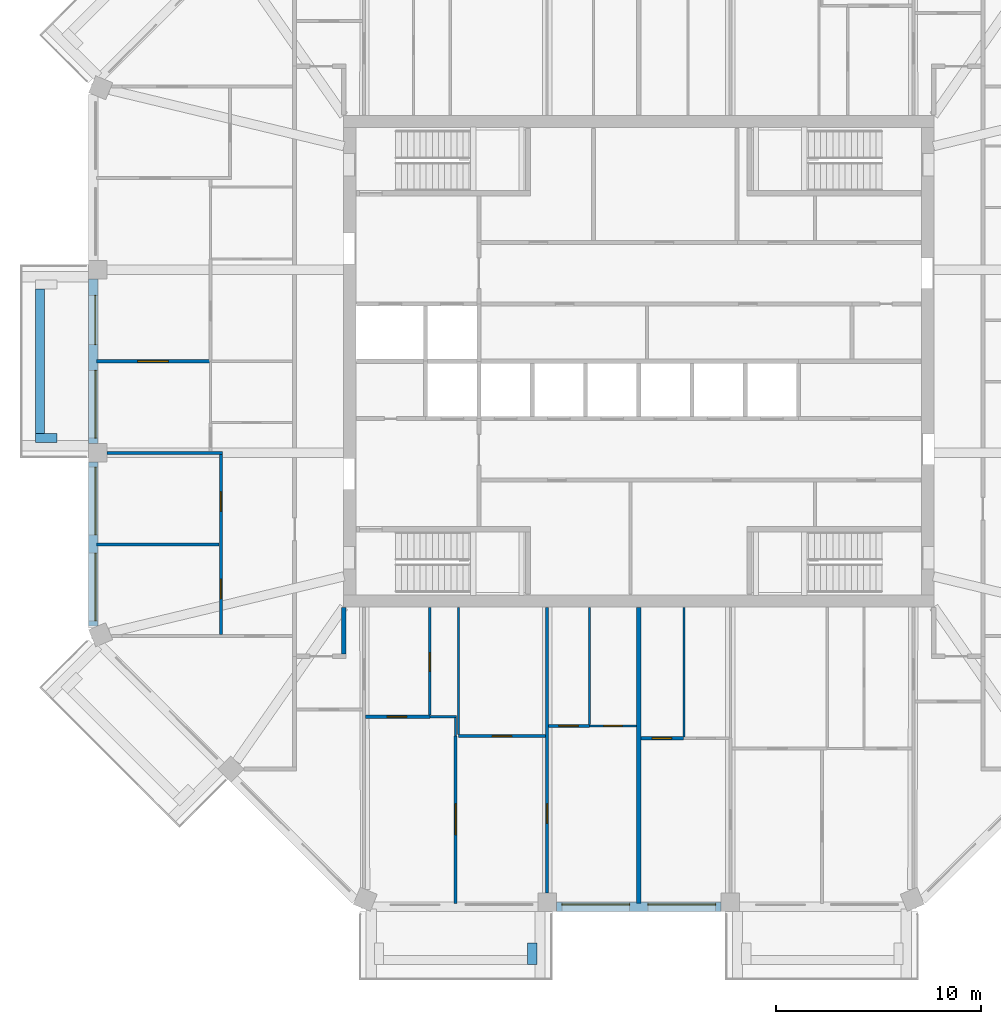
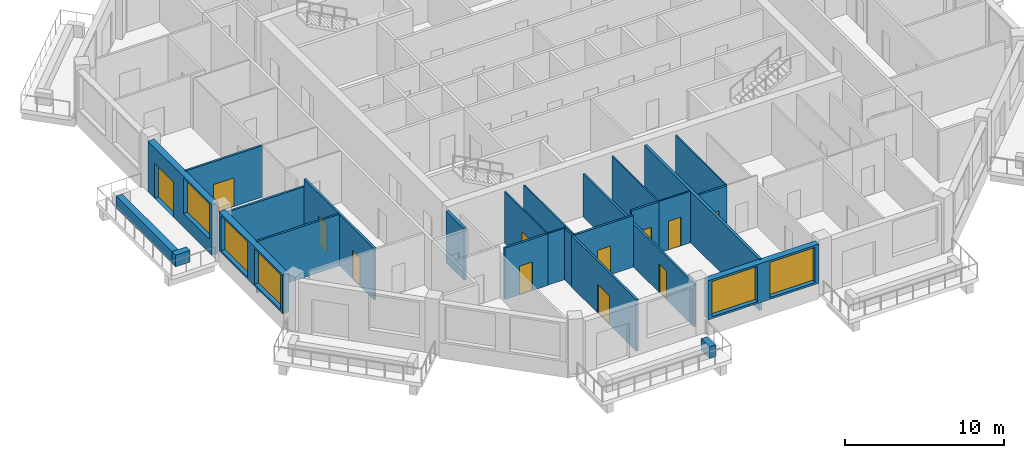
# One storey, part 3 of 13: 25 walls, 12 doors, 5 windows, 17 openings.
"""IFC4 building model written with IfcOpenShell, lengths in metres."""

from ifc_helpers import new_model, si_unit, direction, frame, frame_2d, origin, place, context, subcontext, project, spatial, rectangle, extrude, material, layer, layer_set, type_object, element, fill, save


model = new_model("IFC4")

# Units and contexts
model_context = context("Model", 3, precision=1e-05, world=origin(), true_north=direction((0.0, 1.0)))
body_context = subcontext(model_context, "Body", "Model", "MODEL_VIEW")
ifc_project = project(units=[si_unit("LENGTHUNIT", "METRE"), si_unit("AREAUNIT", "SQUARE_METRE"), si_unit("VOLUMEUNIT", "CUBIC_METRE"), si_unit("PLANEANGLEUNIT", "RADIAN"), si_unit("MASSUNIT", "GRAM", prefix="KILO")], contexts=[model_context])

# Site, building, storey
site_placement = place(None, origin())
site = spatial("IfcSite", under=ifc_project, at=site_placement, CompositionType="ELEMENT")
building_placement = place(site_placement, origin())
building = spatial("IfcBuilding", under=site, at=building_placement, Name="Msitu Wima Residences", CompositionType="ELEMENT")
storey_placement = place(building_placement, frame((0.0, 0.0, 281.10009765625)))
storey = spatial("IfcBuildingStorey", under=building, at=storey_placement, Name="L65", CompositionType="ELEMENT", Elevation=281.10009765625)

# Walls
ifc_material_1 = material(Name="Facing brick")
ifc_layer_1 = layer(ifc_material_1, 0.06494140625, Name="Facing brick")
ifc_material_2 = material(Name="Concrete C40/50", Category="concrete")
ifc_layer_2 = layer(ifc_material_2, 0.156005859375, Name="Concrete C40/50")
ifc_material_3 = material(Name="Waterproofing membrane")
ifc_layer_3 = layer(ifc_material_3, 0.00390625, Name="Waterproofing membrane")
ifc_material_4 = material(Name="Planting soil and planting")
ifc_layer_4 = layer(ifc_material_4, 0.22509765625, Name="Planting soil and planting")
ifc_layer_set_1 = layer_set([ifc_layer_1, ifc_layer_2, ifc_layer_3, ifc_layer_4], Name="Concrete C40/50")
wall_type_1 = type_object("IfcWallType", Name="Balcony planter PLANTER PL450", PredefinedType="USERDEFINED", material=ifc_layer_set_1)
wall_1_placement = place(storey_placement, frame((-29.22509765625, 3.5185546875, 0.0), z_axis=(0.0, 0.0, 1.0), x_axis=(0.0, -1.0, 0.0)))
element("IfcWall", 1, at=wall_1_placement, inside=storey, type_object=wall_type_1, Name="Balcony planter W1 L65", ObjectType="PLANTER", PredefinedType="USERDEFINED", context=body_context, shape_type="SweptSolid", body=[
    extrude(rectangle(XDim=7.037109375, YDim=0.449951171875, at=frame_2d((3.5185546875, 0.0))), origin(), (0.0, 0.0, 1.0), 0.89990234375),
])
for number, where, z_axis, x_axis, name in (
    (2, (-28.39990234375, -3.74365234375, 0.0), (0.0, 0.0, 1.0), (-1.0, 0.0, 0.0), "Balcony planter W1 L65"),
    (3, (-5.193603515625, -28.39990234375, 0.0), (0.0, 0.0, 1.0), (0.0, -1.0, 0.0), "Balcony planter S0 L65"),
):
    element("IfcWall", number, at=place(storey_placement, frame(where, z_axis=z_axis, x_axis=x_axis)), inside=storey, type_object=wall_type_1, Name=name, ObjectType="PLANTER", PredefinedType="USERDEFINED", context=body_context, shape_type="SweptSolid", body=[
        extrude(rectangle(XDim=1.050048828125, YDim=0.449951171875, at=frame_2d((0.52490234375, 0.0))), origin(), (0.0, 0.0, 1.0), 0.89990234375),
    ])

# Wall, openings, door, window
ifc_material_5 = material(Name="Brick (red buff mix)", Category="masonry")
ifc_layer_5 = layer(ifc_material_5, 0.449951171875)
ifc_layer_set_2 = layer_set([ifc_layer_5], Name="Brick (red buff mix)")
wall_type_2 = type_object("IfcWallType", Name="Brick infill wall BW450", PredefinedType="SOLIDWALL", material=ifc_layer_set_2)
wall_2_placement = place(storey_placement, frame((-26.625, 4.0185546875, 0.0), z_axis=(0.0, 0.0, 1.0), x_axis=(0.0, -1.0, 0.0)))
wall_2 = element("IfcWall", 4, at=wall_2_placement, inside=storey, type_object=wall_type_2, Name="Brick infill wall L65 W1", PredefinedType="SOLIDWALL", context=body_context, shape_type="SweptSolid", body=[
    extrude(rectangle(XDim=8.037109375, YDim=0.449951171875, at=frame_2d((4.0185546875, 0.0))), origin(), (0.0, 0.0, 1.0), 3.89990234375),
])
opening_1_placement = place(wall_2_placement, frame((0.809326171875, 0.0, 0.0)))
opening_1 = element("IfcOpeningElement", 5, at=opening_1_placement, cuts=wall_2, Name="Opening D65-67.010", PredefinedType="OPENING", context=body_context, shape_type="SweptSolid", body=[
    extrude(rectangle(XDim=2.39990234375, YDim=2.699951171875, at=frame_2d((1.199951171875, 1.35009765625))), frame((0.0, 0.23486328125, 0.0), z_axis=(0.0, -1.0, 0.0), x_axis=(1.0, 0.0, 0.0)), (0.0, 0.0, 1.0), 0.469970703125),
])
opening_2_placement = place(wall_2_placement, frame((4.46875, 0.0, 1.050048828125)))
opening_2 = element("IfcOpeningElement", 6, at=opening_2_placement, cuts=wall_2, Name="Opening W65-67.028", PredefinedType="OPENING", context=body_context, shape_type="SweptSolid", body=[
    extrude(rectangle(XDim=3.300048828125, YDim=2.699951171875, at=frame_2d((1.64990234375, 1.35009765625))), frame((0.0, 0.23486328125, 0.0), z_axis=(0.0, -1.0, 0.0), x_axis=(1.0, 0.0, 0.0)), (0.0, 0.0, 1.0), 0.469970703125),
])
ifc_material_6 = material(Name="Anodised aluminium, bronze finish, clear low-emissivity double glazing", Category="aluminium")
door_type_1 = type_object("IfcDoorType", Name="Balcony door D2400x2700", OperationType="SLIDING_TO_LEFT", PredefinedType="DOOR", material=ifc_material_6)
door_1_placement = place(opening_1_placement, origin())
door_1 = element("IfcDoor", 7, at=door_1_placement, inside=storey, type_object=door_type_1, Name="Balcony door L65 W1", OperationType="SINGLE_SWING_LEFT", OverallHeight=2.699951171875, OverallWidth=2.39990234375, PredefinedType="DOOR", context=body_context, shape_type="SweptSolid", body=[
    extrude(rectangle(XDim=2.39990234375, YDim=2.699951171875, at=frame_2d((1.199951171875, 1.35009765625))), frame((0.0, 0.1298828125, 0.0), z_axis=(0.0, -1.0, 0.0), x_axis=(1.0, 0.0, 0.0)), (0.0, 0.0, 1.0), 0.050048828125),
])
fill(opening_1, door_1)
window_type = type_object("IfcWindowType", Name="Window W3300x2700", PartitioningType="DOUBLE_PANEL_VERTICAL", PredefinedType="WINDOW", material=ifc_material_6)
window_1_placement = place(opening_2_placement, origin())
window_1 = element("IfcWindow", 8, at=window_1_placement, inside=storey, type_object=window_type, Name="Window L65 W1.2", OverallHeight=2.699951171875, OverallWidth=3.300048828125, PartitioningType="SINGLE_PANEL", PredefinedType="WINDOW", context=body_context, shape_type="SweptSolid", body=[
    extrude(rectangle(XDim=3.300048828125, YDim=2.699951171875, at=frame_2d((1.64990234375, 1.35009765625))), frame((0.0, 0.135009765625, 0.0), z_axis=(0.0, -1.0, 0.0), x_axis=(1.0, 0.0, 0.0)), (0.0, 0.0, 1.0), 0.06005859375),
])
fill(opening_2, window_1)

# Wall, openings, windows
wall_3_placement = place(storey_placement, frame((-26.625, -4.918701171875, 0.89990234375), z_axis=(0.0, 0.0, 1.0), x_axis=(0.0, -1.0, 0.0)))
wall_3 = element("IfcWall", 9, at=wall_3_placement, inside=storey, type_object=wall_type_2, Name="Brick infill wall L65 W2", PredefinedType="SOLIDWALL", context=body_context, shape_type="SweptSolid", body=[
    extrude(rectangle(XDim=8.0, YDim=0.449951171875, at=frame_2d((4.0, 0.0))), origin(), (0.0, 0.0, 1.0), 3.0),
])
opening_3_placement = place(wall_3_placement, frame((0.25, 0.0, 0.14990234375)))
opening_3 = element("IfcOpeningElement", 10, at=opening_3_placement, cuts=wall_3, Name="Opening W65-67.029", PredefinedType="OPENING", context=body_context, shape_type="SweptSolid", body=[
    extrude(rectangle(XDim=3.300048828125, YDim=2.699951171875, at=frame_2d((1.64990234375, 1.35009765625))), frame((0.0, 0.23486328125, 0.0), z_axis=(0.0, -1.0, 0.0), x_axis=(1.0, 0.0, 0.0)), (0.0, 0.0, 1.0), 0.469970703125),
])
opening_4_placement = place(wall_3_placement, frame((4.4501953125, 0.0, 0.14990234375)))
opening_4 = element("IfcOpeningElement", 11, at=opening_4_placement, cuts=wall_3, Name="Opening W65-67.030", PredefinedType="OPENING", context=body_context, shape_type="SweptSolid", body=[
    extrude(rectangle(XDim=3.300048828125, YDim=2.699951171875, at=frame_2d((1.64990234375, 1.35009765625))), frame((0.0, 0.23486328125, 0.0), z_axis=(0.0, -1.0, 0.0), x_axis=(1.0, 0.0, 0.0)), (0.0, 0.0, 1.0), 0.469970703125),
])
window_2_placement = place(opening_3_placement, origin())
window_2 = element("IfcWindow", 12, at=window_2_placement, inside=storey, type_object=window_type, Name="Window L65 W2.1", OverallHeight=2.699951171875, OverallWidth=3.300048828125, PartitioningType="SINGLE_PANEL", PredefinedType="WINDOW", context=body_context, shape_type="SweptSolid", body=[
    extrude(rectangle(XDim=3.300048828125, YDim=2.699951171875, at=frame_2d((1.64990234375, 1.35009765625))), frame((0.0, 0.135009765625, 0.0), z_axis=(0.0, -1.0, 0.0), x_axis=(1.0, 0.0, 0.0)), (0.0, 0.0, 1.0), 0.06005859375),
])
fill(opening_3, window_2)
window_3_placement = place(opening_4_placement, origin())
window_3 = element("IfcWindow", 13, at=window_3_placement, inside=storey, type_object=window_type, Name="Window L65 W2.2", OverallHeight=2.699951171875, OverallWidth=3.300048828125, PartitioningType="SINGLE_PANEL", PredefinedType="WINDOW", context=body_context, shape_type="SweptSolid", body=[
    extrude(rectangle(XDim=3.300048828125, YDim=2.699951171875, at=frame_2d((1.64990234375, 1.35009765625))), frame((0.0, 0.135009765625, 0.0), z_axis=(0.0, -1.0, 0.0), x_axis=(1.0, 0.0, 0.0)), (0.0, 0.0, 1.0), 0.06005859375),
])
fill(opening_4, window_3)

wall_4_placement = place(storey_placement, frame((-4.0185546875, -26.625, 0.89990234375), z_axis=(0.0, 0.0, 1.0), x_axis=(1.0, 0.0, 0.0)))
wall_4 = element("IfcWall", 14, at=wall_4_placement, inside=storey, type_object=wall_type_2, Name="Brick infill wall L65 S1", PredefinedType="SOLIDWALL", context=body_context, shape_type="SweptSolid", body=[
    extrude(rectangle(XDim=8.037109375, YDim=0.449951171875, at=frame_2d((4.0185546875, 0.0))), origin(), (0.0, 0.0, 1.0), 3.0),
])
opening_5_placement = place(wall_4_placement, frame((0.2685546875, 0.0, 0.14990234375)))
opening_5 = element("IfcOpeningElement", 15, at=opening_5_placement, cuts=wall_4, Name="Opening W65-67.017", PredefinedType="OPENING", context=body_context, shape_type="SweptSolid", body=[
    extrude(rectangle(XDim=3.300048828125, YDim=2.699951171875, at=frame_2d((1.64990234375, 1.35009765625))), frame((0.0, 0.23486328125, 0.0), z_axis=(0.0, -1.0, 0.0), x_axis=(1.0, 0.0, 0.0)), (0.0, 0.0, 1.0), 0.469970703125),
])
opening_6_placement = place(wall_4_placement, frame((4.46875, 0.0, 0.14990234375)))
opening_6 = element("IfcOpeningElement", 16, at=opening_6_placement, cuts=wall_4, Name="Opening W65-67.018", PredefinedType="OPENING", context=body_context, shape_type="SweptSolid", body=[
    extrude(rectangle(XDim=3.300048828125, YDim=2.699951171875, at=frame_2d((1.64990234375, 1.35009765625))), frame((0.0, 0.23486328125, 0.0), z_axis=(0.0, -1.0, 0.0), x_axis=(1.0, 0.0, 0.0)), (0.0, 0.0, 1.0), 0.469970703125),
])
window_4_placement = place(opening_5_placement, origin())
window_4 = element("IfcWindow", 17, at=window_4_placement, inside=storey, type_object=window_type, Name="Window L65 S1.1", OverallHeight=2.699951171875, OverallWidth=3.300048828125, PartitioningType="SINGLE_PANEL", PredefinedType="WINDOW", context=body_context, shape_type="SweptSolid", body=[
    extrude(rectangle(XDim=3.300048828125, YDim=2.699951171875, at=frame_2d((1.64990234375, 1.35009765625))), frame((0.0, 0.135009765625, 0.0), z_axis=(0.0, -1.0, 0.0), x_axis=(1.0, 0.0, 0.0)), (0.0, 0.0, 1.0), 0.06005859375),
])
fill(opening_5, window_4)
window_5_placement = place(opening_6_placement, origin())
window_5 = element("IfcWindow", 18, at=window_5_placement, inside=storey, type_object=window_type, Name="Window L65 S1.2", OverallHeight=2.699951171875, OverallWidth=3.300048828125, PartitioningType="SINGLE_PANEL", PredefinedType="WINDOW", context=body_context, shape_type="SweptSolid", body=[
    extrude(rectangle(XDim=3.300048828125, YDim=2.699951171875, at=frame_2d((1.64990234375, 1.35009765625))), frame((0.0, 0.135009765625, 0.0), z_axis=(0.0, -1.0, 0.0), x_axis=(1.0, 0.0, 0.0)), (0.0, 0.0, 1.0), 0.06005859375),
])
fill(opening_6, window_5)

# Walls
ifc_material_7 = material(Name="Plaster")
ifc_layer_6 = layer(ifc_material_7, 0.011962890625, Name="Plaster")
ifc_material_8 = material(Name="Concrete blockwork", Category="masonry")
ifc_layer_7 = layer(ifc_material_8, 0.176025390625, Name="Concrete blockwork")
ifc_layer_8 = layer(ifc_material_7, 0.011962890625, Name="Plaster")
ifc_layer_set_3 = layer_set([ifc_layer_6, ifc_layer_7, ifc_layer_8], Name="Concrete blockwork")
wall_type_3 = type_object("IfcWallType", Name="Corridor wall FW200", PredefinedType="PARTITIONING", material=ifc_layer_set_3)
wall_5_placement = place(storey_placement, frame((-14.39990234375, -14.300048828125, 0.0), z_axis=(0.0, 0.0, 1.0), x_axis=(0.0, 1.0, 0.0)))
element("IfcWall", 19, at=wall_5_placement, inside=storey, type_object=wall_type_3, Name="Corridor wall", PredefinedType="PARTITIONING", context=body_context, shape_type="SweptSolid", body=[
    extrude(rectangle(XDim=2.27001953125, YDim=0.199951171875, at=frame_2d((1.135009765625, 0.0))), origin(), (0.0, 0.0, 1.0), 3.949951171875),
])
ifc_layer_9 = layer(ifc_material_7, 0.011962890625, Name="Plaster")
ifc_layer_10 = layer(ifc_material_8, 0.1259765625, Name="Concrete blockwork")
ifc_layer_11 = layer(ifc_material_7, 0.011962890625, Name="Plaster")
ifc_layer_set_4 = layer_set([ifc_layer_9, ifc_layer_10, ifc_layer_11], Name="Concrete blockwork")
wall_type_4 = type_object("IfcWallType", Name="Partition PW150", PredefinedType="PARTITIONING", material=ifc_layer_set_4)
wall_6_placement = place(storey_placement, frame((-26.455078125, -8.937255859375, 0.0), z_axis=(0.0, 0.0, 1.0), x_axis=(1.0, 0.0, 0.0)))
element("IfcWall", 20, at=wall_6_placement, inside=storey, type_object=wall_type_4, Name="Partition", PredefinedType="PARTITIONING", context=body_context, shape_type="SweptSolid", body=[
    extrude(rectangle(XDim=5.97998046875, YDim=0.14990234375, at=frame_2d((2.989990234375, 0.0))), origin(), (0.0, 0.0, 1.0), 3.949951171875),
])
wall_7_placement = place(storey_placement, frame((-25.949951171875, -4.46875, 0.0), z_axis=(0.0, 0.0, 1.0), x_axis=(1.0, 0.0, 0.0)))
element("IfcWall", 21, at=wall_7_placement, inside=storey, type_object=wall_type_4, Name="Partition", PredefinedType="PARTITIONING", context=body_context, shape_type="SweptSolid", body=[
    extrude(rectangle(XDim=5.625, YDim=0.14990234375, at=frame_2d((2.8125, 0.0))), origin(), (0.0, 0.0, 1.0), 3.349853515625),
])

# Wall, opening, door
wall_8_placement = place(storey_placement, frame((-26.455078125, 0.0, 0.0), z_axis=(0.0, 0.0, 1.0), x_axis=(1.0, 0.0, 0.0)))
wall_8 = element("IfcWall", 22, at=wall_8_placement, inside=storey, type_object=wall_type_4, Name="Partition", PredefinedType="PARTITIONING", context=body_context, shape_type="SweptSolid", body=[
    extrude(rectangle(XDim=5.5751953125, YDim=0.14990234375, at=frame_2d((2.78759765625, 0.0))), origin(), (0.0, 0.0, 1.0), 3.949951171875),
])
opening_7_placement = place(wall_8_placement, frame((2.0, 0.0, 0.0)))
opening_7 = element("IfcOpeningElement", 23, at=opening_7_placement, cuts=wall_8, Name="Opening D65-67.050", PredefinedType="OPENING", context=body_context, shape_type="SweptSolid", body=[
    extrude(rectangle(XDim=1.5, YDim=2.199951171875, at=frame_2d((0.75, 1.10009765625))), frame((0.0, 0.0849609375, 0.0), z_axis=(0.0, -1.0, 0.0), x_axis=(1.0, 0.0, 0.0)), (0.0, 0.0, 1.0), 0.169921875),
])
ifc_material_9 = material(Name="Timber double door", Category="wood")
door_type_2 = type_object("IfcDoorType", Name="Double door D04 1500x2200", OperationType="DOUBLE_DOOR_SINGLE_SWING", PredefinedType="DOOR", material=ifc_material_9)
door_2_placement = place(opening_7_placement, origin())
door_2 = element("IfcDoor", 24, at=door_2_placement, inside=storey, type_object=door_type_2, Name="Double door", OperationType="DOUBLE_DOOR_SINGLE_SWING", OverallHeight=2.199951171875, OverallWidth=1.5, PredefinedType="DOOR", context=body_context, shape_type="SweptSolid", body=[
    extrude(rectangle(XDim=1.5, YDim=2.199951171875, at=frame_2d((0.75, 1.10009765625))), frame((0.0, 0.02490234375, 0.0), z_axis=(0.0, -1.0, 0.0), x_axis=(1.0, 0.0, 0.0)), (0.0, 0.0, 1.0), 0.050048828125),
])
fill(opening_7, door_2)

# Wall, openings, doors
wall_9_placement = place(storey_placement, frame((-20.39990234375, -13.330810546875, 0.0), z_axis=(0.0, 0.0, 1.0), x_axis=(0.0, 1.0, 0.0)))
wall_9 = element("IfcWall", 25, at=wall_9_placement, inside=storey, type_object=wall_type_4, Name="Partition", PredefinedType="PARTITIONING", context=body_context, shape_type="SweptSolid", body=[
    extrude(rectangle(XDim=8.787109375, YDim=0.14990234375, at=frame_2d((4.3935546875, 0.0))), origin(), (0.0, 0.0, 1.0), 3.949951171875),
])
opening_8_placement = place(wall_9_placement, frame((1.75, 0.0, 0.0)))
opening_8 = element("IfcOpeningElement", 26, at=opening_8_placement, cuts=wall_9, Name="Opening D65-67.047", PredefinedType="OPENING", context=body_context, shape_type="SweptSolid", body=[
    extrude(rectangle(XDim=0.949951171875, YDim=2.199951171875, at=frame_2d((0.47509765625, 1.10009765625))), frame((0.0, 0.0849609375, 0.0), z_axis=(0.0, -1.0, 0.0), x_axis=(1.0, 0.0, 0.0)), (0.0, 0.0, 1.0), 0.169921875),
])
opening_9_placement = place(wall_9_placement, frame((6.0, 0.0, 0.0)))
opening_9 = element("IfcOpeningElement", 27, at=opening_9_placement, cuts=wall_9, Name="Opening D65-67.048", PredefinedType="OPENING", context=body_context, shape_type="SweptSolid", body=[
    extrude(rectangle(XDim=0.949951171875, YDim=2.199951171875, at=frame_2d((0.47509765625, 1.10009765625))), frame((0.0, 0.0849609375, 0.0), z_axis=(0.0, -1.0, 0.0), x_axis=(1.0, 0.0, 0.0)), (0.0, 0.0, 1.0), 0.169921875),
])
ifc_material_10 = material(Name="Timber flush door", Category="wood")
door_type_3 = type_object("IfcDoorType", Name="Room door D12 950x2200", OperationType="SINGLE_SWING_LEFT", PredefinedType="DOOR", material=ifc_material_10)
door_3_placement = place(opening_8_placement, origin())
door_3 = element("IfcDoor", 28, at=door_3_placement, inside=storey, type_object=door_type_3, Name="Room door", OperationType="SINGLE_SWING_RIGHT", OverallHeight=2.199951171875, OverallWidth=0.949951171875, PredefinedType="DOOR", context=body_context, shape_type="SweptSolid", body=[
    extrude(rectangle(XDim=0.949951171875, YDim=2.199951171875, at=frame_2d((0.47509765625, 1.10009765625))), frame((0.0, 0.02490234375, 0.0), z_axis=(0.0, -1.0, 0.0), x_axis=(1.0, 0.0, 0.0)), (0.0, 0.0, 1.0), 0.050048828125),
])
fill(opening_8, door_3)
door_4_placement = place(opening_9_placement, origin())
door_4 = element("IfcDoor", 29, at=door_4_placement, inside=storey, type_object=door_type_3, Name="Room door", OperationType="SINGLE_SWING_LEFT", OverallHeight=2.199951171875, OverallWidth=0.949951171875, PredefinedType="DOOR", context=body_context, shape_type="SweptSolid", body=[
    extrude(rectangle(XDim=0.949951171875, YDim=2.199951171875, at=frame_2d((0.47509765625, 1.10009765625))), frame((0.0, 0.02490234375, 0.0), z_axis=(0.0, -1.0, 0.0), x_axis=(1.0, 0.0, 0.0)), (0.0, 0.0, 1.0), 0.050048828125),
])
fill(opening_9, door_4)

# Wall, opening, door
wall_10_placement = place(storey_placement, frame((-13.330810546875, -17.35009765625, 0.0), z_axis=(0.0, 0.0, 1.0), x_axis=(1.0, 0.0, 0.0)))
wall_10 = element("IfcWall", 30, at=wall_10_placement, inside=storey, type_object=wall_type_4, Name="Partition", PredefinedType="PARTITIONING", context=body_context, shape_type="SweptSolid", body=[
    extrude(rectangle(XDim=3.130859375, YDim=0.14990234375, at=frame_2d((1.5654296875, 0.0))), origin(), (0.0, 0.0, 1.0), 3.949951171875),
])
opening_10_placement = place(wall_10_placement, frame((1.050048828125, 0.0, 0.0)))
opening_10 = element("IfcOpeningElement", 31, at=opening_10_placement, cuts=wall_10, Name="Opening D65-67.056", PredefinedType="OPENING", context=body_context, shape_type="SweptSolid", body=[
    extrude(rectangle(XDim=0.949951171875, YDim=2.199951171875, at=frame_2d((0.47509765625, 1.10009765625))), frame((0.0, 0.0849609375, 0.0), z_axis=(0.0, -1.0, 0.0), x_axis=(1.0, 0.0, 0.0)), (0.0, 0.0, 1.0), 0.169921875),
])
door_5_placement = place(opening_10_placement, origin())
door_5 = element("IfcDoor", 32, at=door_5_placement, inside=storey, type_object=door_type_3, Name="Room door", OperationType="SINGLE_SWING_RIGHT", OverallHeight=2.199951171875, OverallWidth=0.949951171875, PredefinedType="DOOR", context=body_context, shape_type="SweptSolid", body=[
    extrude(rectangle(XDim=0.949951171875, YDim=2.199951171875, at=frame_2d((0.47509765625, 1.10009765625))), frame((0.0, 0.02490234375, 0.0), z_axis=(0.0, -1.0, 0.0), x_axis=(1.0, 0.0, 0.0)), (0.0, 0.0, 1.0), 0.050048828125),
])
fill(opening_10, door_5)

wall_11_placement = place(storey_placement, frame((-8.937255859375, -26.455078125, 0.0), z_axis=(0.0, 0.0, 1.0), x_axis=(0.0, 1.0, 0.0)))
wall_11 = element("IfcWall", 33, at=wall_11_placement, inside=storey, type_object=wall_type_4, Name="Partition", PredefinedType="PARTITIONING", context=body_context, shape_type="SweptSolid", body=[
    extrude(rectangle(XDim=8.155029296875, YDim=0.14990234375, at=frame_2d((4.07763671875, 0.0))), origin(), (0.0, 0.0, 1.0), 3.949951171875),
])
opening_11_placement = place(wall_11_placement, frame((3.35009765625, 0.0, 0.0)))
opening_11 = element("IfcOpeningElement", 34, at=opening_11_placement, cuts=wall_11, Name="Opening D65-67.059", PredefinedType="OPENING", context=body_context, shape_type="SweptSolid", body=[
    extrude(rectangle(XDim=1.5, YDim=2.199951171875, at=frame_2d((0.75, 1.10009765625))), frame((0.0, 0.0849609375, 0.0), z_axis=(0.0, -1.0, 0.0), x_axis=(1.0, 0.0, 0.0)), (0.0, 0.0, 1.0), 0.169921875),
])
door_6_placement = place(opening_11_placement, origin())
door_6 = element("IfcDoor", 35, at=door_6_placement, inside=storey, type_object=door_type_2, Name="Double door", OperationType="DOUBLE_DOOR_SINGLE_SWING", OverallHeight=2.199951171875, OverallWidth=1.5, PredefinedType="DOOR", context=body_context, shape_type="SweptSolid", body=[
    extrude(rectangle(XDim=1.5, YDim=2.199951171875, at=frame_2d((0.75, 1.10009765625))), frame((0.0, 0.02490234375, 0.0), z_axis=(0.0, -1.0, 0.0), x_axis=(1.0, 0.0, 0.0)), (0.0, 0.0, 1.0), 0.050048828125),
])
fill(opening_11, door_6)

wall_12_placement = place(storey_placement, frame((-8.800048828125, -18.300048828125, 0.0), z_axis=(0.0, 0.0, 1.0), x_axis=(1.0, 0.0, 0.0)))
wall_12 = element("IfcWall", 36, at=wall_12_placement, inside=storey, type_object=wall_type_4, Name="Partition", PredefinedType="PARTITIONING", context=body_context, shape_type="SweptSolid", body=[
    extrude(rectangle(XDim=4.25634765625, YDim=0.14990234375, at=frame_2d((2.128173828125, 0.0))), origin(), (0.0, 0.0, 1.0), 3.949951171875),
])
opening_12_placement = place(wall_12_placement, frame((1.64990234375, 0.0, 0.0)))
opening_12 = element("IfcOpeningElement", 37, at=opening_12_placement, cuts=wall_12, Name="Opening D65-67.060", PredefinedType="OPENING", context=body_context, shape_type="SweptSolid", body=[
    extrude(rectangle(XDim=0.949951171875, YDim=2.199951171875, at=frame_2d((0.47509765625, 1.10009765625))), frame((0.0, 0.0849609375, 0.0), z_axis=(0.0, -1.0, 0.0), x_axis=(1.0, 0.0, 0.0)), (0.0, 0.0, 1.0), 0.169921875),
])
door_7_placement = place(opening_12_placement, origin())
door_7 = element("IfcDoor", 38, at=door_7_placement, inside=storey, type_object=door_type_3, Name="Room door", OperationType="SINGLE_SWING_LEFT", OverallHeight=2.199951171875, OverallWidth=0.949951171875, PredefinedType="DOOR", context=body_context, shape_type="SweptSolid", body=[
    extrude(rectangle(XDim=0.949951171875, YDim=2.199951171875, at=frame_2d((0.47509765625, 1.10009765625))), frame((0.0, 0.02490234375, 0.0), z_axis=(0.0, -1.0, 0.0), x_axis=(1.0, 0.0, 0.0)), (0.0, 0.0, 1.0), 0.050048828125),
])
fill(opening_12, door_7)

wall_13_placement = place(storey_placement, frame((-4.46875, -25.949951171875, 0.0), z_axis=(0.0, 0.0, 1.0), x_axis=(0.0, 1.0, 0.0)))
wall_13 = element("IfcWall", 39, at=wall_13_placement, inside=storey, type_object=wall_type_4, Name="Partition", PredefinedType="PARTITIONING", context=body_context, shape_type="SweptSolid", body=[
    extrude(rectangle(XDim=13.919921875, YDim=0.14990234375, at=frame_2d((6.9599609375, 0.0))), origin(), (0.0, 0.0, 1.0), 3.2998046875),
])
opening_13_placement = place(wall_13_placement, frame((3.39990234375, 0.0, 0.0)))
opening_13 = element("IfcOpeningElement", 40, at=opening_13_placement, cuts=wall_13, Name="Opening D65-67.061", PredefinedType="OPENING", context=body_context, shape_type="SweptSolid", body=[
    extrude(rectangle(XDim=0.949951171875, YDim=2.199951171875, at=frame_2d((0.47509765625, 1.10009765625))), frame((0.0, 0.0849609375, 0.0), z_axis=(0.0, -1.0, 0.0), x_axis=(1.0, 0.0, 0.0)), (0.0, 0.0, 1.0), 0.169921875),
])
door_8_placement = place(opening_13_placement, origin())
door_8 = element("IfcDoor", 41, at=door_8_placement, inside=storey, type_object=door_type_3, Name="Room door", OperationType="SINGLE_SWING_RIGHT", OverallHeight=2.199951171875, OverallWidth=0.949951171875, PredefinedType="DOOR", context=body_context, shape_type="SweptSolid", body=[
    extrude(rectangle(XDim=0.949951171875, YDim=2.199951171875, at=frame_2d((0.47509765625, 1.10009765625))), frame((0.0, 0.02490234375, 0.0), z_axis=(0.0, -1.0, 0.0), x_axis=(1.0, 0.0, 0.0)), (0.0, 0.0, 1.0), 0.050048828125),
])
fill(opening_13, door_8)

wall_14_placement = place(storey_placement, frame((-4.3935546875, -17.800048828125, 0.0), z_axis=(0.0, 0.0, 1.0), x_axis=(1.0, 0.0, 0.0)))
wall_14 = element("IfcWall", 42, at=wall_14_placement, inside=storey, type_object=wall_type_4, Name="Partition", PredefinedType="PARTITIONING", context=body_context, shape_type="SweptSolid", body=[
    extrude(rectangle(XDim=1.99365234375, YDim=0.14990234375, at=frame_2d((0.996826171875, 0.0))), origin(), (0.0, 0.0, 1.0), 3.949951171875),
])
opening_14_placement = place(wall_14_placement, frame((0.5, 0.0, 0.0)))
opening_14 = element("IfcOpeningElement", 43, at=opening_14_placement, cuts=wall_14, Name="Opening D65-67.063", PredefinedType="OPENING", context=body_context, shape_type="SweptSolid", body=[
    extrude(rectangle(XDim=0.949951171875, YDim=2.199951171875, at=frame_2d((0.47509765625, 1.10009765625))), frame((0.0, 0.0849609375, 0.0), z_axis=(0.0, -1.0, 0.0), x_axis=(1.0, 0.0, 0.0)), (0.0, 0.0, 1.0), 0.169921875),
])
door_9_placement = place(opening_14_placement, origin())
door_9 = element("IfcDoor", 44, at=door_9_placement, inside=storey, type_object=door_type_3, Name="Room door", OperationType="SINGLE_SWING_RIGHT", OverallHeight=2.199951171875, OverallWidth=0.949951171875, PredefinedType="DOOR", context=body_context, shape_type="SweptSolid", body=[
    extrude(rectangle(XDim=0.949951171875, YDim=2.199951171875, at=frame_2d((0.47509765625, 1.10009765625))), frame((0.0, 0.02490234375, 0.0), z_axis=(0.0, -1.0, 0.0), x_axis=(1.0, 0.0, 0.0)), (0.0, 0.0, 1.0), 0.050048828125),
])
fill(opening_14, door_9)

wall_15_placement = place(storey_placement, frame((0.10009765625, -18.39990234375, 0.0), z_axis=(0.0, 0.0, 1.0), x_axis=(1.0, 0.0, 0.0)))
wall_15 = element("IfcWall", 45, at=wall_15_placement, inside=storey, type_object=wall_type_4, Name="Partition", PredefinedType="PARTITIONING", context=body_context, shape_type="SweptSolid", body=[
    extrude(rectangle(XDim=2.079833984375, YDim=0.14990234375, at=frame_2d((1.0400390625, 0.0))), origin(), (0.0, 0.0, 1.0), 3.949951171875),
])
opening_15_placement = place(wall_15_placement, frame((0.550048828125, 0.0, 0.0)))
opening_15 = element("IfcOpeningElement", 46, at=opening_15_placement, cuts=wall_15, Name="Opening D65-67.072", PredefinedType="OPENING", context=body_context, shape_type="SweptSolid", body=[
    extrude(rectangle(XDim=0.949951171875, YDim=2.199951171875, at=frame_2d((0.47509765625, 1.10009765625))), frame((0.0, 0.0849609375, 0.0), z_axis=(0.0, -1.0, 0.0), x_axis=(1.0, 0.0, 0.0)), (0.0, 0.0, 1.0), 0.169921875),
])
door_10_placement = place(opening_15_placement, origin())
door_10 = element("IfcDoor", 47, at=door_10_placement, inside=storey, type_object=door_type_3, Name="Room door", OperationType="SINGLE_SWING_RIGHT", OverallHeight=2.199951171875, OverallWidth=0.949951171875, PredefinedType="DOOR", context=body_context, shape_type="SweptSolid", body=[
    extrude(rectangle(XDim=0.949951171875, YDim=2.199951171875, at=frame_2d((0.47509765625, 1.10009765625))), frame((0.0, 0.02490234375, 0.0), z_axis=(0.0, -1.0, 0.0), x_axis=(1.0, 0.0, 0.0)), (0.0, 0.0, 1.0), 0.050048828125),
])
fill(opening_15, door_10)

# Wall
ifc_layer_12 = layer(ifc_material_7, 0.011962890625, Name="Plaster")
ifc_material_11 = material(Name="Dense concrete blockwork", Category="masonry")
ifc_layer_13 = layer(ifc_material_11, 0.176025390625, Name="Dense concrete blockwork")
ifc_layer_14 = layer(ifc_material_7, 0.011962890625, Name="Plaster")
ifc_layer_set_5 = layer_set([ifc_layer_12, ifc_layer_13, ifc_layer_14], Name="Dense concrete blockwork")
wall_type_5 = type_object("IfcWallType", Name="Party wall PW200", PredefinedType="PARTITIONING", material=ifc_layer_set_5)
wall_16_placement = place(storey_placement, frame((0.0, -26.455078125, 0.0), z_axis=(0.0, 0.0, 1.0), x_axis=(0.0, 1.0, 0.0)))
element("IfcWall", 48, at=wall_16_placement, inside=storey, type_object=wall_type_5, Name="Party wall", PredefinedType="PARTITIONING", context=body_context, shape_type="SweptSolid", body=[
    extrude(rectangle(XDim=14.425048828125, YDim=0.199951171875, at=frame_2d((7.21240234375, 0.0))), origin(), (0.0, 0.0, 1.0), 3.949951171875),
])

# Wall, opening, door
ifc_material_12 = material(Name="Ceramic tiles")
ifc_layer_15 = layer(ifc_material_12, 0.008056640625, Name="Ceramic tiles")
ifc_material_13 = material(Name="Moisture-resistant board")
ifc_layer_16 = layer(ifc_material_13, 0.012451171875, Name="Moisture-resistant board")
ifc_material_14 = material(Name="Light-gauge stud framing with mineral wool")
ifc_layer_17 = layer(ifc_material_14, 0.06689453125, Name="Light-gauge stud framing with mineral wool")
ifc_layer_18 = layer(ifc_material_13, 0.012451171875, Name="Moisture-resistant board")
ifc_layer_set_6 = layer_set([ifc_layer_15, ifc_layer_16, ifc_layer_17, ifc_layer_18], Name="Light-gauge stud framing with mineral wool")
wall_type_6 = type_object("IfcWallType", Name="Wet wall PW100", PredefinedType="PARTITIONING", material=ifc_layer_set_6)
wall_17_placement = place(storey_placement, frame((-10.199951171875, -17.27490234375, 0.0), z_axis=(0.0, 0.0, 1.0), x_axis=(0.0, 1.0, 0.0)))
wall_17 = element("IfcWall", 49, at=wall_17_placement, inside=storey, type_object=wall_type_6, Name="Wet wall", PredefinedType="PARTITIONING", context=body_context, shape_type="SweptSolid", body=[
    extrude(rectangle(XDim=5.244873046875, YDim=0.10009765625, at=frame_2d((2.62255859375, 0.0))), origin(), (0.0, 0.0, 1.0), 3.949951171875),
])
opening_16_placement = place(wall_17_placement, frame((2.14990234375, 0.0, 0.0)))
opening_16 = element("IfcOpeningElement", 50, at=opening_16_placement, cuts=wall_17, Name="Opening D65-67.058", PredefinedType="OPENING", context=body_context, shape_type="SweptSolid", body=[
    extrude(rectangle(XDim=0.89990234375, YDim=2.199951171875, at=frame_2d((0.449951171875, 1.10009765625))), frame((0.0, 0.06005859375, 0.0), z_axis=(0.0, -1.0, 0.0), x_axis=(1.0, 0.0, 0.0)), (0.0, 0.0, 1.0), 0.1201171875),
])
ifc_material_15 = material(Name="Timber flush door, moisture resistant", Category="wood")
door_type_4 = type_object("IfcDoorType", Name="Bathroom door D03 900x2200", OperationType="SINGLE_SWING_LEFT", PredefinedType="DOOR", material=ifc_material_15)
door_11_placement = place(opening_16_placement, origin())
door_11 = element("IfcDoor", 51, at=door_11_placement, inside=storey, type_object=door_type_4, Name="Bathroom door", OperationType="SINGLE_SWING_RIGHT", OverallHeight=2.199951171875, OverallWidth=0.89990234375, PredefinedType="DOOR", context=body_context, shape_type="SweptSolid", body=[
    extrude(rectangle(XDim=0.89990234375, YDim=2.199951171875, at=frame_2d((0.449951171875, 1.10009765625))), frame((0.0, 0.02490234375, 0.0), z_axis=(0.0, -1.0, 0.0), x_axis=(1.0, 0.0, 0.0)), (0.0, 0.0, 1.0), 0.050048828125),
])
fill(opening_16, door_11)

# Walls
wall_18_placement = place(storey_placement, frame((-10.199951171875, -17.35009765625, 0.0), z_axis=(0.0, 0.0, 1.0), x_axis=(1.0, 0.0, 0.0)))
element("IfcWall", 52, at=wall_18_placement, inside=storey, type_object=wall_type_6, Name="Wet wall", PredefinedType="PARTITIONING", context=body_context, shape_type="SweptSolid", body=[
    extrude(rectangle(XDim=1.312744140625, YDim=0.10009765625, at=frame_2d((0.65625, 0.0))), origin(), (0.0, 0.0, 1.0), 3.949951171875),
])
wall_19_placement = place(storey_placement, frame((-8.937255859375, -18.300048828125, 0.0), z_axis=(0.0, 0.0, 1.0), x_axis=(0.0, 1.0, 0.0)))
element("IfcWall", 53, at=wall_19_placement, inside=storey, type_object=wall_type_6, Name="Wet wall", PredefinedType="PARTITIONING", context=body_context, shape_type="SweptSolid", body=[
    extrude(rectangle(XDim=0.900146484375, YDim=0.10009765625, at=frame_2d((0.4501953125, 0.0))), origin(), (0.0, 0.0, 1.0), 3.949951171875),
])
wall_20_placement = place(storey_placement, frame((-8.800048828125, -18.22509765625, 0.0), z_axis=(0.0, 0.0, 1.0), x_axis=(0.0, 1.0, 0.0)))
element("IfcWall", 54, at=wall_20_placement, inside=storey, type_object=wall_type_6, Name="Wet wall", PredefinedType="PARTITIONING", context=body_context, shape_type="SweptSolid", body=[
    extrude(rectangle(XDim=6.195068359375, YDim=0.10009765625, at=frame_2d((3.09765625, 0.0))), origin(), (0.0, 0.0, 1.0), 3.949951171875),
])
wall_21_placement = place(storey_placement, frame((-2.39990234375, -17.72509765625, 0.0), z_axis=(0.0, 0.0, 1.0), x_axis=(0.0, 1.0, 0.0)))
element("IfcWall", 55, at=wall_21_placement, inside=storey, type_object=wall_type_6, Name="Wet wall", PredefinedType="PARTITIONING", context=body_context, shape_type="SweptSolid", body=[
    extrude(rectangle(XDim=5.695068359375, YDim=0.10009765625, at=frame_2d((2.84765625, 0.0))), origin(), (0.0, 0.0, 1.0), 3.949951171875),
])

# Wall, opening, door
wall_22_placement = place(storey_placement, frame((-2.39990234375, -17.800048828125, 0.0), z_axis=(0.0, 0.0, 1.0), x_axis=(1.0, 0.0, 0.0)))
wall_22 = element("IfcWall", 56, at=wall_22_placement, inside=storey, type_object=wall_type_6, Name="Wet wall", PredefinedType="PARTITIONING", context=body_context, shape_type="SweptSolid", body=[
    extrude(rectangle(XDim=2.2998046875, YDim=0.10009765625, at=frame_2d((1.14990234375, 0.0))), origin(), (0.0, 0.0, 1.0), 3.949951171875),
])
opening_17_placement = place(wall_22_placement, frame((0.699951171875, 0.0, 0.0)))
opening_17 = element("IfcOpeningElement", 57, at=opening_17_placement, cuts=wall_22, Name="Opening D65-67.062", PredefinedType="OPENING", context=body_context, shape_type="SweptSolid", body=[
    extrude(rectangle(XDim=0.89990234375, YDim=2.199951171875, at=frame_2d((0.449951171875, 1.10009765625))), frame((0.0, 0.06005859375, 0.0), z_axis=(0.0, -1.0, 0.0), x_axis=(1.0, 0.0, 0.0)), (0.0, 0.0, 1.0), 0.1201171875),
])
door_12_placement = place(opening_17_placement, origin())
door_12 = element("IfcDoor", 58, at=door_12_placement, inside=storey, type_object=door_type_4, Name="Bathroom door", OperationType="SINGLE_SWING_LEFT", OverallHeight=2.199951171875, OverallWidth=0.89990234375, PredefinedType="DOOR", context=body_context, shape_type="SweptSolid", body=[
    extrude(rectangle(XDim=0.89990234375, YDim=2.199951171875, at=frame_2d((0.449951171875, 1.10009765625))), frame((0.0, 0.02490234375, 0.0), z_axis=(0.0, -1.0, 0.0), x_axis=(1.0, 0.0, 0.0)), (0.0, 0.0, 1.0), 0.050048828125),
])
fill(opening_17, door_12)

# Wall
wall_23_placement = place(storey_placement, frame((2.199951171875, -18.35009765625, 0.0), z_axis=(0.0, 0.0, 1.0), x_axis=(0.0, 1.0, 0.0)))
element("IfcWall", 59, at=wall_23_placement, inside=storey, type_object=wall_type_6, Name="Wet wall", PredefinedType="PARTITIONING", context=body_context, shape_type="SweptSolid", body=[
    extrude(rectangle(XDim=6.320068359375, YDim=0.10009765625, at=frame_2d((3.16015625, 0.0))), origin(), (0.0, 0.0, 1.0), 3.949951171875),
])

save(model, "model.ifc")
